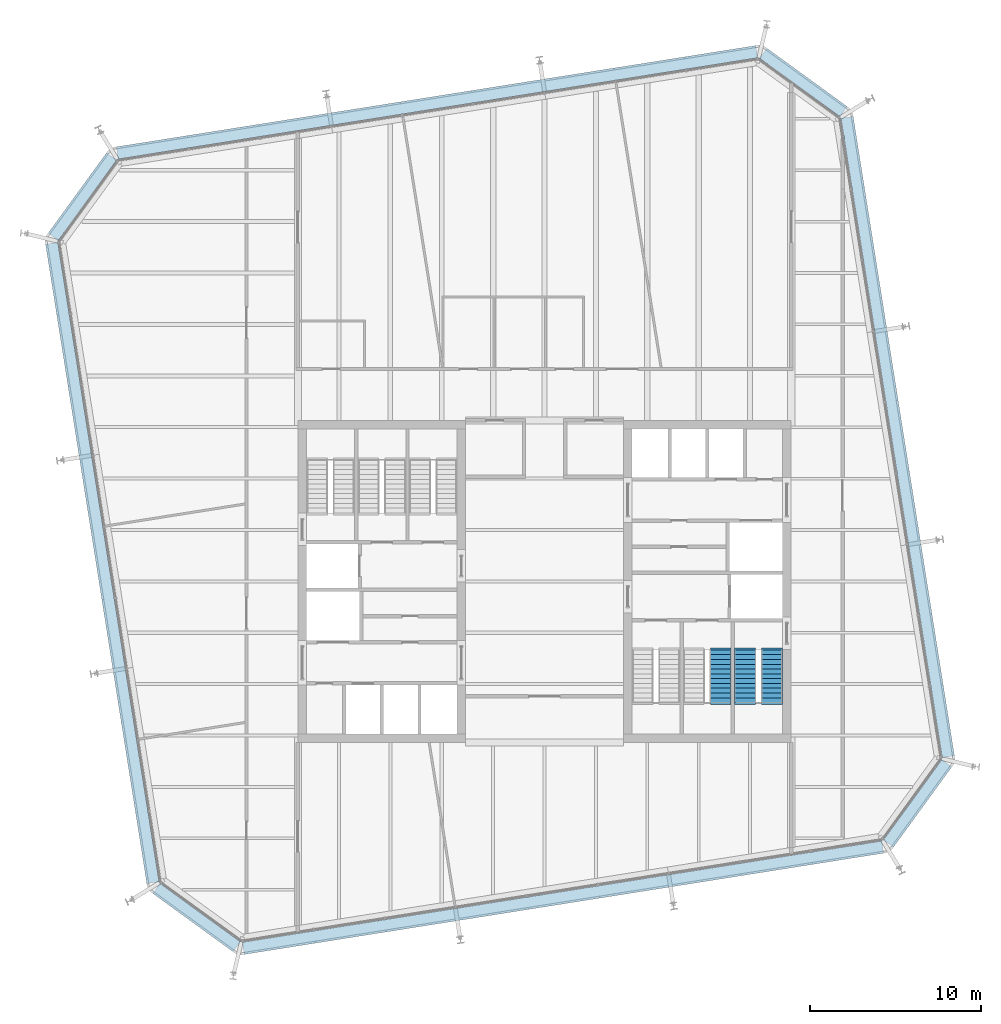
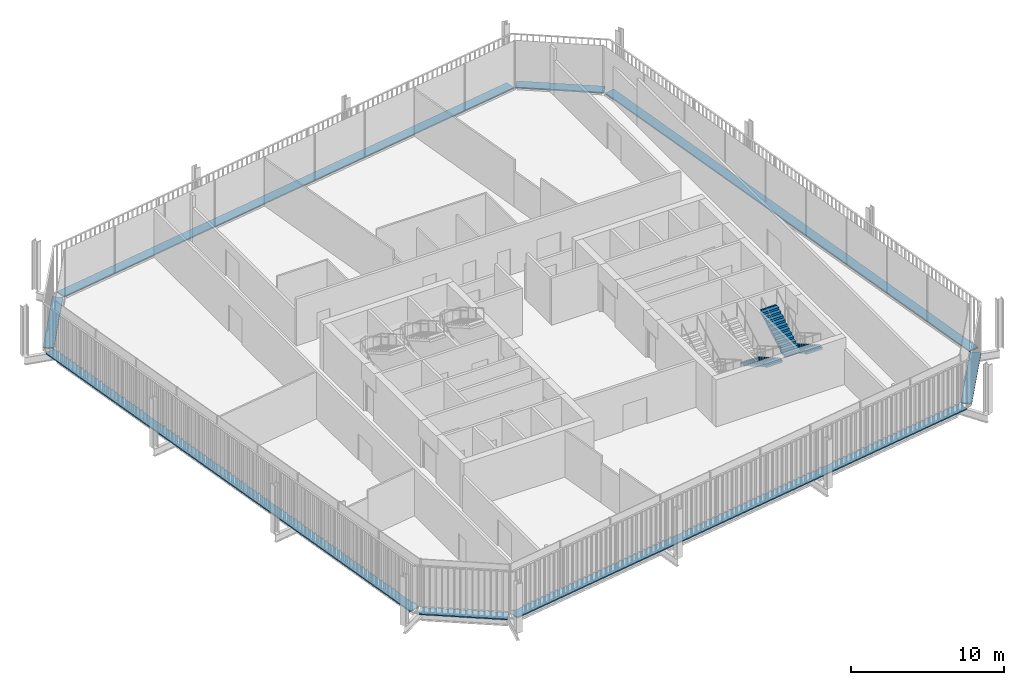
# One storey, part 19 of 20: 8 discrete accessories, 3 stair flights, 2 elements without a shape of their own.
"""IFC4 building model written with IfcOpenShell, lengths in metres."""

from ifc_helpers import new_model, si_unit, direction, frame, origin, origin_2d, place, context, subcontext, project, spatial, polyline, rectangle, outline, extrude, material, type_object, element, aggregate, save


model = new_model("IFC4")

# Units and contexts
model_context = context("Model", 3, precision=1e-05, world=origin(), true_north=direction((0.0, 1.0)))
body_context = subcontext(model_context, "Body", "Model", "MODEL_VIEW")
ifc_project = project(units=[si_unit("LENGTHUNIT", "METRE"), si_unit("AREAUNIT", "SQUARE_METRE"), si_unit("VOLUMEUNIT", "CUBIC_METRE"), si_unit("PLANEANGLEUNIT", "RADIAN"), si_unit("MASSUNIT", "GRAM", prefix="KILO")], contexts=[model_context])

# Site, building, storey
site_placement = place(None, origin())
site = spatial("IfcSite", under=ifc_project, at=site_placement, CompositionType="ELEMENT")
building_placement = place(site_placement, origin())
building = spatial("IfcBuilding", under=site, at=building_placement, Name="Millrace Tower", CompositionType="ELEMENT")
storey_placement = place(building_placement, frame((0.0, 0.0, 208.60009765625)))
storey = spatial("IfcBuildingStorey", under=building, at=storey_placement, Name="L47", CompositionType="ELEMENT", Elevation=208.60009765625)

# Stair, stair flights
ifc_material_1 = material(Name="Concrete C35", Category="concrete")
stair_type = type_object("IfcStairType", Name="Exit stair", PredefinedType="HALF_TURN_STAIR", material=ifc_material_1)
placement = place(storey_placement, origin())
stair_1 = element("IfcStair", 1, at=placement, inside=storey, type_object=stair_type, Name="Stair 1 E L47", PredefinedType="HALF_TURN_STAIR")
ifc_material_2 = material(Name="Concrete C35", Category="concrete")
stair_flight_type = type_object("IfcStairFlightType", Name="Exit stair flight", PredefinedType="STRAIGHT", material=ifc_material_2)
stair_flight_1_placement = place(storey_placement, frame((13.2900390625, -4.0, 0.0), z_axis=(0.0, 0.0, 1.0), x_axis=(0.0, -1.0, 0.0)))
stair_flight_1 = element("IfcStairFlight", 2, at=stair_flight_1_placement, type_object=stair_flight_type, Name="ST12 flight 1", NumberOfRisers=12, NumberOfTreads=11, PredefinedType="STRAIGHT", RiserHeight=0.1625, TreadLength=0.28, context=body_context, shape_type="SweptSolid", body=[
    extrude(outline(polyline([(-0.1201171875, -0.0400390625), (-0.1201171875, 0.0), (0.0, 0.0), (0.0, 0.16259765625), (0.280029296875, 0.16259765625), (0.280029296875, 0.324951171875), (0.56005859375, 0.324951171875), (0.56005859375, 0.487548828125), (0.840087890625, 0.487548828125), (0.840087890625, 0.64990234375), (1.1201171875, 0.64990234375), (1.1201171875, 0.8125), (1.39990234375, 0.8125), (1.39990234375, 0.97509765625), (1.679931640625, 0.97509765625), (1.679931640625, 1.137451171875), (1.9599609375, 1.137451171875), (1.9599609375, 1.300048828125), (2.239990234375, 1.300048828125), (2.239990234375, 1.46240234375), (2.52001953125, 1.46240234375), (2.52001953125, 1.625), (2.800048828125, 1.625), (2.800048828125, 1.78759765625), (3.080078125, 1.78759765625), (3.080078125, 1.8076171875), (3.199951171875, 1.8076171875), (3.199951171875, 1.6142578125), (3.080078125, 1.6142578125), (0.298583984375, 0.0), (0.298583984375, -0.0400390625), (-0.1201171875, -0.0400390625)])), frame((0.0, 0.60986328125, 0.0), z_axis=(0.0, -1.0, 0.0), x_axis=(1.0, 0.0, 0.0)), (0.0, 0.0, 1.0), 1.219970703125),
])
stair_flight_2_placement = place(storey_placement, frame((11.7099609375, -7.080078125, 1.949951171875), z_axis=(0.0, 0.0, 1.0), x_axis=(0.0, 1.0, 0.0)))
stair_flight_2 = element("IfcStairFlight", 3, at=stair_flight_2_placement, type_object=stair_flight_type, Name="ST12 flight 2", NumberOfRisers=12, NumberOfTreads=11, PredefinedType="STRAIGHT", RiserHeight=0.1625, TreadLength=0.28, context=body_context, shape_type="SweptSolid", body=[
    extrude(outline(polyline([(-0.1201171875, -0.0400390625), (-0.1201171875, 0.0), (0.0, 0.0), (0.0, 0.16259765625), (0.280029296875, 0.16259765625), (0.280029296875, 0.324951171875), (0.56005859375, 0.324951171875), (0.56005859375, 0.487548828125), (0.840087890625, 0.487548828125), (0.840087890625, 0.64990234375), (1.1201171875, 0.64990234375), (1.1201171875, 0.8125), (1.39990234375, 0.8125), (1.39990234375, 0.97509765625), (1.679931640625, 0.97509765625), (1.679931640625, 1.137451171875), (1.9599609375, 1.137451171875), (1.9599609375, 1.300048828125), (2.239990234375, 1.300048828125), (2.239990234375, 1.46240234375), (2.52001953125, 1.46240234375), (2.52001953125, 1.625), (2.800048828125, 1.625), (2.800048828125, 1.78759765625), (3.080078125, 1.78759765625), (3.080078125, 1.8076171875), (3.199951171875, 1.8076171875), (3.199951171875, 1.6142578125), (3.080078125, 1.6142578125), (0.298583984375, 0.0), (0.298583984375, -0.0400390625), (-0.1201171875, -0.0400390625)])), frame((0.0, 0.60986328125, 0.0), z_axis=(0.0, -1.0, 0.0), x_axis=(1.0, 0.0, 0.0)), (0.0, 0.0, 1.0), 1.219970703125),
])
aggregate(stair_1, [stair_flight_1, stair_flight_2])

# Stair, stair flight
stair_2 = element("IfcStair", 4, at=placement, inside=storey, type_object=stair_type, Name="Stair 2 E L47", PredefinedType="HALF_TURN_STAIR")
stair_flight_3_placement = place(storey_placement, frame((10.2900390625, -4.0, 0.0), z_axis=(0.0, 0.0, 1.0), x_axis=(0.0, -1.0, 0.0)))
stair_flight_3 = element("IfcStairFlight", 5, at=stair_flight_3_placement, type_object=stair_flight_type, Name="ST12 flight 1", NumberOfRisers=12, NumberOfTreads=11, PredefinedType="STRAIGHT", RiserHeight=0.1625, TreadLength=0.28, context=body_context, shape_type="SweptSolid", body=[
    extrude(outline(polyline([(-0.1201171875, -0.0400390625), (-0.1201171875, 0.0), (0.0, 0.0), (0.0, 0.16259765625), (0.280029296875, 0.16259765625), (0.280029296875, 0.324951171875), (0.56005859375, 0.324951171875), (0.56005859375, 0.487548828125), (0.840087890625, 0.487548828125), (0.840087890625, 0.64990234375), (1.1201171875, 0.64990234375), (1.1201171875, 0.8125), (1.39990234375, 0.8125), (1.39990234375, 0.97509765625), (1.679931640625, 0.97509765625), (1.679931640625, 1.137451171875), (1.9599609375, 1.137451171875), (1.9599609375, 1.300048828125), (2.239990234375, 1.300048828125), (2.239990234375, 1.46240234375), (2.52001953125, 1.46240234375), (2.52001953125, 1.625), (2.800048828125, 1.625), (2.800048828125, 1.78759765625), (3.080078125, 1.78759765625), (3.080078125, 1.8076171875), (3.199951171875, 1.8076171875), (3.199951171875, 1.6142578125), (3.080078125, 1.6142578125), (0.298583984375, 0.0), (0.298583984375, -0.0400390625), (-0.1201171875, -0.0400390625)])), frame((0.0, 0.60986328125, 0.0), z_axis=(0.0, -1.0, 0.0), x_axis=(1.0, 0.0, 0.0)), (0.0, 0.0, 1.0), 1.219970703125),
])
aggregate(stair_2, [stair_flight_3])

# Discrete accessories
ifc_material_3 = material(Name="Stainless steel ASTM A240 type 316", Category="steel")
discrete_accessory_type = type_object("IfcDiscreteAccessoryType", Name="Thermally broken screen support rail", PredefinedType="BRACKET", material=ifc_material_3)
discrete_accessory_1_placement = place(storey_placement, frame((-20.314453125, -19.632080078125, -0.000244140625), z_axis=(0.0, 0.0, 1.0), x_axis=(0.809016955361, -0.587785305991, 0.0)))
element("IfcDiscreteAccessory", 6, at=discrete_accessory_1_placement, inside=storey, type_object=discrete_accessory_type, Name="Thermally broken screen support rail D-F01 L47 1", PredefinedType="BRACKET", context=body_context, shape_type="SweptSolid", body=[
    extrude(rectangle(XDim=5.79833984375, YDim=0.719970703125, at=origin_2d()), origin(), (0.0, 0.0, 1.0), 0.10009765625),
])
discrete_accessory_2_placement = place(storey_placement, frame((1.077880859375, -18.470458984375, -0.000244140625), z_axis=(0.0, 0.0, 1.0), x_axis=(0.987688339511, 0.156434471884, 0.0)))
element("IfcDiscreteAccessory", 7, at=discrete_accessory_2_placement, inside=storey, type_object=discrete_accessory_type, Name="Thermally broken screen support rail D-F02 L47 1", PredefinedType="BRACKET", context=body_context, shape_type="SweptSolid", body=[
    extrude(rectangle(XDim=37.800048828125, YDim=0.719970703125, at=origin_2d()), origin(), (0.0, 0.0, 1.0), 0.10009765625),
])
discrete_accessory_3_placement = place(storey_placement, frame((21.781982421875, -12.964599609375, -0.000244140625), z_axis=(0.0, 0.0, 1.0), x_axis=(0.587785305991, 0.809016955361, 0.0)))
element("IfcDiscreteAccessory", 8, at=discrete_accessory_3_placement, inside=storey, type_object=discrete_accessory_type, Name="Thermally broken screen support rail D-F03 L47 1", PredefinedType="BRACKET", context=body_context, shape_type="SweptSolid", body=[
    extrude(rectangle(XDim=5.79833984375, YDim=0.719970703125, at=origin_2d()), origin(), (0.0, 0.0, 1.0), 0.10009765625),
])
discrete_accessory_4_placement = place(storey_placement, frame((20.62060546875, 8.427734375, -0.000244140625), z_axis=(0.0, 0.0, 1.0), x_axis=(-0.156434471884, 0.987688339511, 0.0)))
element("IfcDiscreteAccessory", 9, at=discrete_accessory_4_placement, inside=storey, type_object=discrete_accessory_type, Name="Thermally broken screen support rail D-F04 L47 1", PredefinedType="BRACKET", context=body_context, shape_type="SweptSolid", body=[
    extrude(rectangle(XDim=37.800048828125, YDim=0.719970703125, at=origin_2d()), origin(), (0.0, 0.0, 1.0), 0.10009765625),
])
discrete_accessory_5_placement = place(storey_placement, frame((15.114501953125, 29.132080078125, -0.000244140625), z_axis=(0.0, 0.0, 1.0), x_axis=(-0.809016955361, 0.587785305991, 0.0)))
element("IfcDiscreteAccessory", 10, at=discrete_accessory_5_placement, inside=storey, type_object=discrete_accessory_type, Name="Thermally broken screen support rail D-F05 L47 1", PredefinedType="BRACKET", context=body_context, shape_type="SweptSolid", body=[
    extrude(rectangle(XDim=5.79833984375, YDim=0.719970703125, at=origin_2d()), origin(), (0.0, 0.0, 1.0), 0.10009765625),
])
discrete_accessory_6_placement = place(storey_placement, frame((-6.27783203125, 27.970458984375, -0.000244140625), z_axis=(0.0, 0.0, 1.0), x_axis=(-0.987688339511, -0.156434471884, 0.0)))
element("IfcDiscreteAccessory", 11, at=discrete_accessory_6_placement, inside=storey, type_object=discrete_accessory_type, Name="Thermally broken screen support rail D-F06 L47 1", PredefinedType="BRACKET", context=body_context, shape_type="SweptSolid", body=[
    extrude(rectangle(XDim=37.800048828125, YDim=0.719970703125, at=origin_2d()), origin(), (0.0, 0.0, 1.0), 0.10009765625),
])
discrete_accessory_7_placement = place(storey_placement, frame((-26.98193359375, 22.464599609375, -0.000244140625), z_axis=(0.0, 0.0, 1.0), x_axis=(-0.587785305991, -0.809016955361, 0.0)))
element("IfcDiscreteAccessory", 12, at=discrete_accessory_7_placement, inside=storey, type_object=discrete_accessory_type, Name="Thermally broken screen support rail D-F07 L47 1", PredefinedType="BRACKET", context=body_context, shape_type="SweptSolid", body=[
    extrude(rectangle(XDim=5.79833984375, YDim=0.719970703125, at=origin_2d()), origin(), (0.0, 0.0, 1.0), 0.10009765625),
])
discrete_accessory_8_placement = place(storey_placement, frame((-25.820556640625, 1.072265625, -0.000244140625), z_axis=(0.0, 0.0, 1.0), x_axis=(0.156434471884, -0.987688339511, 0.0)))
element("IfcDiscreteAccessory", 13, at=discrete_accessory_8_placement, inside=storey, type_object=discrete_accessory_type, Name="Thermally broken screen support rail D-F08 L47 1", PredefinedType="BRACKET", context=body_context, shape_type="SweptSolid", body=[
    extrude(rectangle(XDim=37.800048828125, YDim=0.719970703125, at=origin_2d()), origin(), (0.0, 0.0, 1.0), 0.10009765625),
])

save(model, "model.ifc")
